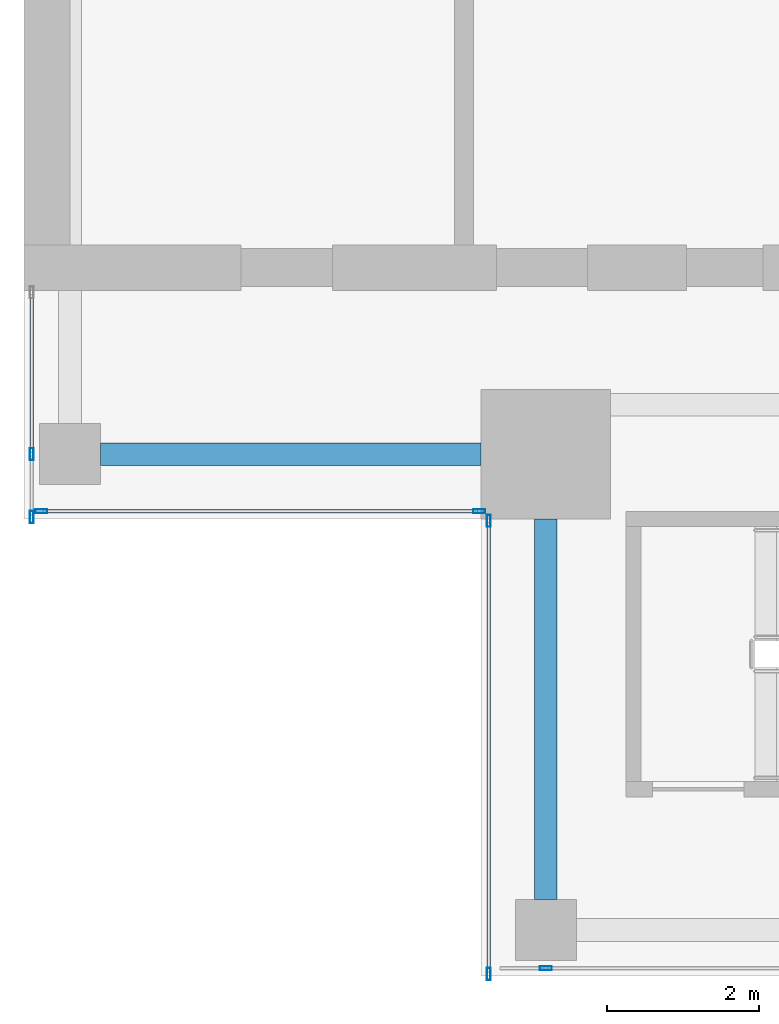
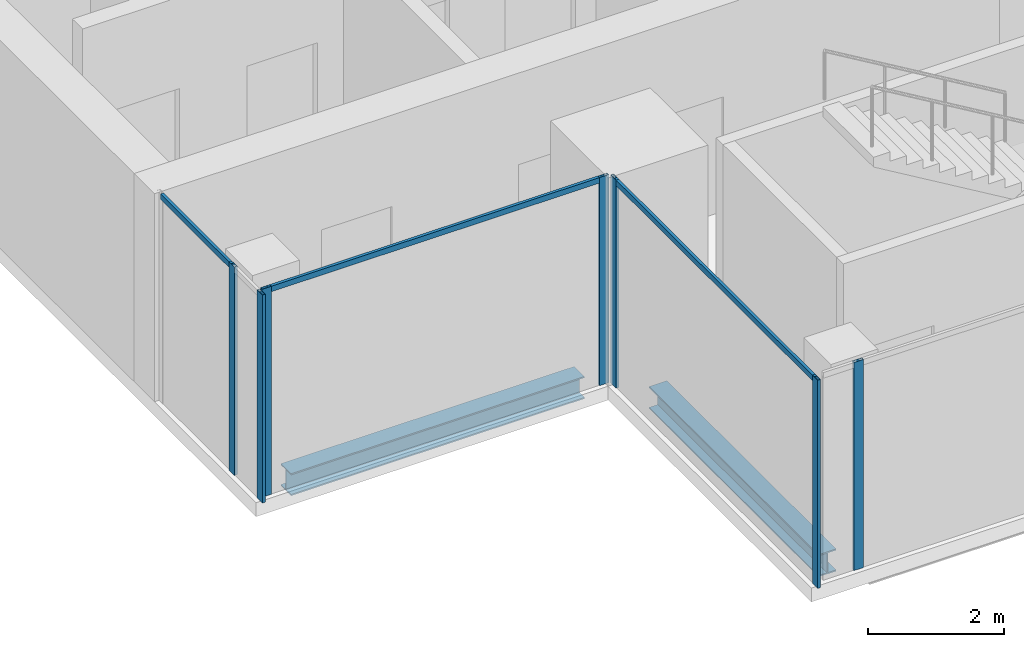
# One storey, part 2 of 29: 10 members, 2 beams, 4 elements without a shape of their own.
"""IFC4 building model written with IfcOpenShell, lengths in metres."""

from ifc_helpers import new_model, si_unit, direction, frame, origin, origin_2d, place, context, subcontext, project, spatial, hollow_rectangle, i_section, extrude, source, transform, mapped, material, material_profile, profile_set, type_object, element, aggregate, save


model = new_model("IFC4")

# Units and contexts
model_context = context("Model", 3, precision=1e-05, world=origin(), true_north=direction((0.0, 1.0)))
body_context = subcontext(model_context, "Body", "Model", "MODEL_VIEW")
ifc_project = project(units=[si_unit("LENGTHUNIT", "METRE"), si_unit("AREAUNIT", "SQUARE_METRE"), si_unit("VOLUMEUNIT", "CUBIC_METRE"), si_unit("PLANEANGLEUNIT", "RADIAN"), si_unit("MASSUNIT", "GRAM", prefix="KILO")], contexts=[model_context])

# Site, building, storey
site_placement = place(None, origin())
site = spatial("IfcSite", under=ifc_project, at=site_placement, CompositionType="ELEMENT")
building_placement = place(site_placement, origin())
building = spatial("IfcBuilding", under=site, at=building_placement, Name="Khomas Fold Tower", CompositionType="ELEMENT")
storey_placement = place(building_placement, frame((0.0, 0.0, 322.199951171875)))
storey = spatial("IfcBuildingStorey", under=building, at=storey_placement, Name="L73", CompositionType="ELEMENT", Elevation=322.199951171875)

# Beams
ifc_material_1 = material(Name="Steel S355", Category="steel")
ifc_material_profile_1 = material_profile(ifc_material_1, i_section(OverallWidth=0.300048828125, OverallDepth=0.39990234375, WebThickness=0.013427734375, FlangeThickness=0.02392578125, at=origin_2d()), Name="HE 400 B")
ifc_profile_set_1 = profile_set([ifc_material_profile_1], Name="Steel S355")
beam_type = type_object("IfcBeamType", Name="HE 400 B spandrel SB5", PredefinedType="SPANDREL", material=ifc_profile_set_1)
shared_shape_1 = source(origin(), body_context, "Body", "SweptSolid", [
    extrude(i_section(OverallWidth=0.300048828125, OverallDepth=0.39990234375, WebThickness=0.013427734375, FlangeThickness=0.02392578125, at=origin_2d()), origin(), (0.0, 0.0, 1.0), 5.0),
])
for number, where, z_axis, x_axis, name in (
    (1, (7.0, 12.85009765625, -0.449951171875), (1.0, 0.0, 0.0), (0.0, 1.0, 0.0), "SB5"),
    (2, (12.85009765625, 7.0, -0.449951171875), (0.0, 1.0, 0.0), (-1.0, 0.0, 0.0), "SB5"),
):
    element("IfcBeam", number, at=place(storey_placement, frame(where, z_axis=z_axis, x_axis=x_axis)), inside=storey, type_object=beam_type, Name=name, PredefinedType="SPANDREL", context=body_context, shape_type="MappedRepresentation", body=[
        mapped(shared_shape_1, transform((0.0, 0.0, 0.0))),
    ])

# Curtain wall, member
ifc_material_2 = material(Name="Aluminium framed double glazing", Category="aluminium")
curtain_wall_type = type_object("IfcCurtainWallType", Name="SK-Unitised clear-glass wall, upper floors CW3", PredefinedType="NOTDEFINED", material=ifc_material_2)
curtain_wall_1_placement = place(storey_placement, origin())
curtain_wall_1 = element("IfcCurtainWall", 3, at=curtain_wall_1_placement, inside=storey, type_object=curtain_wall_type, Name="CW3 run L73 00-0", PredefinedType="NOTDEFINED")
ifc_material_3 = material(Name="Aluminium", Category="aluminium")
ifc_material_profile_2 = material_profile(ifc_material_3, hollow_rectangle(XDim=0.050048828125, YDim=0.159912109375, WallThickness=0.00390625, at=origin_2d()), Name="SK-Unitised clear-glass wall, upper floors mullion CW3-M")
ifc_profile_set_2 = profile_set([ifc_material_profile_2], Name="Aluminium")
member_type_1 = type_object("IfcMemberType", Name="SK-Unitised clear-glass wall, upper floors mullion CW3-M", PredefinedType="MULLION", material=ifc_profile_set_2)
shared_shape_2 = source(origin(), body_context, "Body", "SweptSolid", [
    extrude(hollow_rectangle(XDim=0.050048828125, YDim=0.159912109375, WallThickness=0.00390625, at=origin_2d()), origin(), (0.0, 0.0, 1.0), 3.75),
])
member_1_placement = place(storey_placement, frame((12.85009765625, 6.10009765625, 0.0), z_axis=(0.0, 0.0, 1.0), x_axis=(0.0, 1.0, 0.0)))
member_1 = element("IfcMember", 4, at=member_1_placement, type_object=member_type_1, Name="CW3 mullion 2", PredefinedType="MULLION", context=body_context, shape_type="MappedRepresentation", body=[
    mapped(shared_shape_2, transform((0.0, 0.0, 0.0))),
])
aggregate(curtain_wall_1, [member_1])

# Curtain wall, members
curtain_wall_2_placement = place(storey_placement, origin())
curtain_wall_2 = element("IfcCurtainWall", 5, at=curtain_wall_2_placement, inside=storey, type_object=curtain_wall_type, Name="CW3 run L73 09-1", PredefinedType="NOTDEFINED")
member_2_placement = place(storey_placement, frame((6.10009765625, 12.85009765625, 0.0), z_axis=(0.0, 0.0, 1.0), x_axis=(1.0, 0.0, 0.0)))
member_2 = element("IfcMember", 6, at=member_2_placement, type_object=member_type_1, Name="CW3 mullion 2", PredefinedType="MULLION", context=body_context, shape_type="MappedRepresentation", body=[
    mapped(shared_shape_2, transform((0.0, 0.0, 0.0))),
])
member_3_placement = place(storey_placement, frame((6.10009765625, 12.02490234375, 0.0), z_axis=(0.0, 0.0, 1.0), x_axis=(1.0, 0.0, 0.0)))
member_3 = element("IfcMember", 7, at=member_3_placement, type_object=member_type_1, Name="CW3 mullion 3", PredefinedType="MULLION", context=body_context, shape_type="MappedRepresentation", body=[
    mapped(shared_shape_2, transform((0.0, 0.0, 0.0))),
])

curtain_wall_3_placement = place(storey_placement, origin())
curtain_wall_3 = element("IfcCurtainWall", 8, at=curtain_wall_3_placement, inside=storey, type_object=curtain_wall_type, Name="CW3 corner return L73 10", PredefinedType="NOTDEFINED")
member_4_placement = place(storey_placement, frame((6.22509765625, 12.10009765625, 0.0), z_axis=(0.0, 0.0, 1.0), x_axis=(0.0, 1.0, 0.0)))
member_4 = element("IfcMember", 9, at=member_4_placement, type_object=member_type_1, Name="CW3 mullion 1", PredefinedType="MULLION", context=body_context, shape_type="MappedRepresentation", body=[
    mapped(shared_shape_2, transform((0.0, 0.0, 0.0))),
])
member_5_placement = place(storey_placement, frame((11.97509765625, 12.10009765625, 0.0), z_axis=(0.0, 0.0, 1.0), x_axis=(0.0, 1.0, 0.0)))
member_5 = element("IfcMember", 10, at=member_5_placement, type_object=member_type_1, Name="CW3 mullion 2", PredefinedType="MULLION", context=body_context, shape_type="MappedRepresentation", body=[
    mapped(shared_shape_2, transform((0.0, 0.0, 0.0))),
])

curtain_wall_4_placement = place(storey_placement, origin())
curtain_wall_4 = element("IfcCurtainWall", 11, at=curtain_wall_4_placement, inside=storey, type_object=curtain_wall_type, Name="CW3 corner return L73 11", PredefinedType="NOTDEFINED")
member_6_placement = place(storey_placement, frame((12.10009765625, 11.97509765625, 0.0), z_axis=(0.0, 0.0, 1.0), x_axis=(1.0, 0.0, 0.0)))
member_6 = element("IfcMember", 12, at=member_6_placement, type_object=member_type_1, Name="CW3 mullion 1", PredefinedType="MULLION", context=body_context, shape_type="MappedRepresentation", body=[
    mapped(shared_shape_2, transform((0.0, 0.0, 0.0))),
])
member_7_placement = place(storey_placement, frame((12.10009765625, 6.02490234375, 0.0), z_axis=(0.0, 0.0, 1.0), x_axis=(1.0, 0.0, 0.0)))
member_7 = element("IfcMember", 13, at=member_7_placement, type_object=member_type_1, Name="CW3 mullion 2", PredefinedType="MULLION", context=body_context, shape_type="MappedRepresentation", body=[
    mapped(shared_shape_2, transform((0.0, 0.0, 0.0))),
])

# Member
ifc_material_4 = material(Name="Aluminium", Category="aluminium")
ifc_material_profile_3 = material_profile(ifc_material_4, hollow_rectangle(XDim=0.050048828125, YDim=0.10009765625, WallThickness=0.00390625, at=origin_2d()), Name="SK-Unitised clear-glass wall, upper floors transom CW3-T")
ifc_profile_set_3 = profile_set([ifc_material_profile_3], Name="Aluminium")
member_type_2 = type_object("IfcMemberType", Name="SK-Unitised clear-glass wall, upper floors transom CW3-T", PredefinedType="USERDEFINED", material=ifc_profile_set_3)
shared_shape_3 = source(origin(), body_context, "Body", "SweptSolid", [
    extrude(hollow_rectangle(XDim=0.050048828125, YDim=0.10009765625, WallThickness=0.00390625, at=origin_2d()), origin(), (0.0, 0.0, 1.0), 5.699951171875),
])
member_8_placement = place(storey_placement, frame((6.25, 12.10009765625, 3.699951171875), z_axis=(1.0, 0.0, 0.0), x_axis=(0.0, 1.0, 0.0)))
member_8 = element("IfcMember", 14, at=member_8_placement, type_object=member_type_2, Name="CW3 transom 1", ObjectType="TRANSOM", PredefinedType="USERDEFINED", context=body_context, shape_type="MappedRepresentation", body=[
    mapped(shared_shape_3, transform((0.0, 0.0, 0.0))),
])

aggregate(curtain_wall_3, [member_4, member_5, member_8])

shared_shape_4 = source(origin(), body_context, "Body", "SweptSolid", [
    extrude(hollow_rectangle(XDim=0.050048828125, YDim=0.10009765625, WallThickness=0.00390625, at=origin_2d()), origin(), (0.0, 0.0, 1.0), 5.89990234375),
])
member_9_placement = place(storey_placement, frame((12.10009765625, 11.949951171875, 3.699951171875), z_axis=(0.0, -1.0, 0.0), x_axis=(1.0, 0.0, 0.0)))
member_9 = element("IfcMember", 15, at=member_9_placement, type_object=member_type_2, Name="CW3 transom 1", ObjectType="TRANSOM", PredefinedType="USERDEFINED", context=body_context, shape_type="MappedRepresentation", body=[
    mapped(shared_shape_4, transform((0.0, 0.0, 0.0))),
])

aggregate(curtain_wall_4, [member_6, member_7, member_9])

shared_shape_5 = source(origin(), body_context, "Body", "SweptSolid", [
    extrude(hollow_rectangle(XDim=0.050048828125, YDim=0.10009765625, WallThickness=0.00390625, at=origin_2d()), origin(), (0.0, 0.0, 1.0), 2.074951171875),
])
member_10_placement = place(storey_placement, frame((6.10009765625, 14.949951171875, 3.699951171875), z_axis=(0.0, -1.0, 0.0), x_axis=(1.0, 0.0, 0.0)))
member_10 = element("IfcMember", 16, at=member_10_placement, type_object=member_type_2, Name="CW3 transom 1", ObjectType="TRANSOM", PredefinedType="USERDEFINED", context=body_context, shape_type="MappedRepresentation", body=[
    mapped(shared_shape_5, transform((0.0, 0.0, 0.0))),
])

aggregate(curtain_wall_2, [member_2, member_3, member_10])

save(model, "model.ifc")
